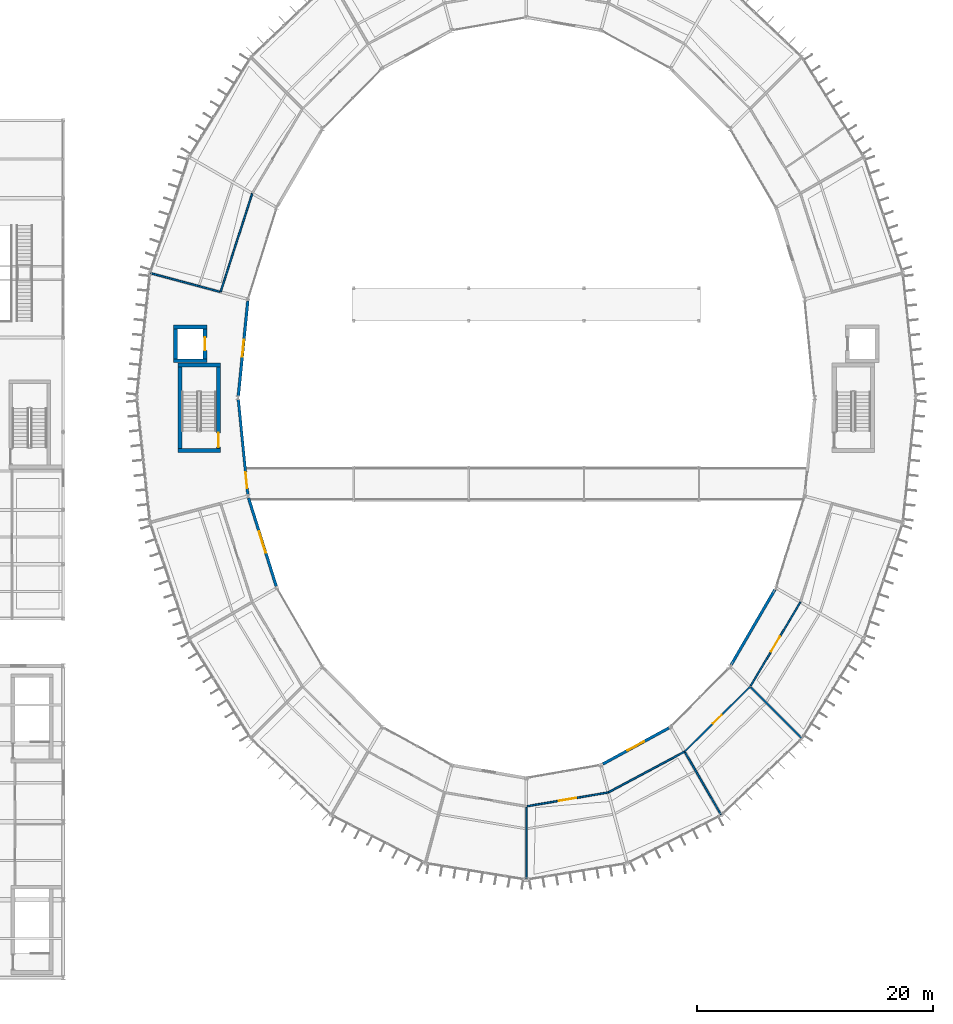
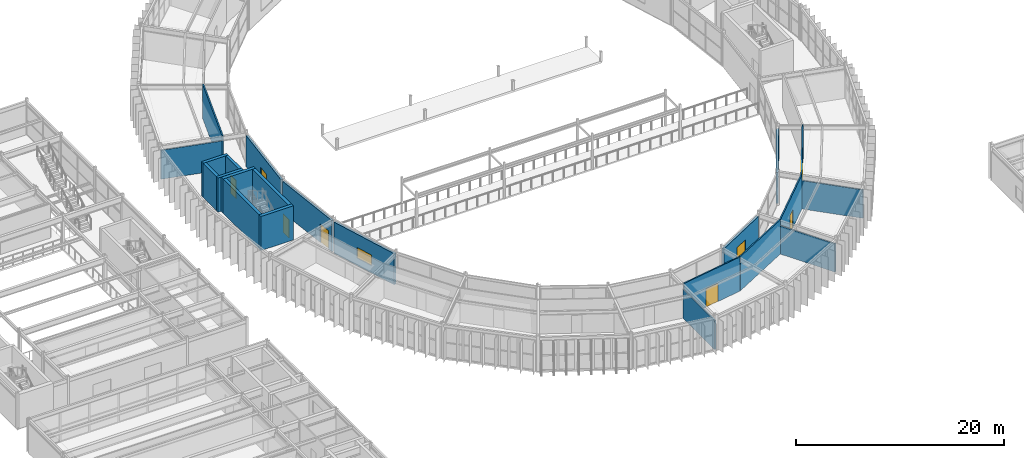
# One storey, part 124 of 147: 22 walls, 6 doors, 3 windows, 9 openings.
"""IFC4 building model written with IfcOpenShell, lengths in metres."""

import ifcopenshell
import ifcopenshell.guid

model = None  # the IFC model being written
_history = None  # IfcOwnerHistory: only IFC2X3 demands one
_inside = {}  # id of a spatial element -> (the spatial element, [elements in it])
_under = {}  # id of a project, library or spatial element -> (it, [spatial elements below it])
_declared = {}  # id of a project -> (the project, [libraries it declares])
_typed = {}  # id of a type object -> (the type object, [elements of that type])
_made_of = {}  # id of a material, layer set ... -> (it, [elements and type objects made of it])


def new_model(schema):
    """Start an empty IFC model of exactly this schema.

    Asked for "IFC4X3", IfcOpenShell would pick the latest addendum, in which some entities
    have other attributes; the version numbers below select the first issue.
    IFC2X3 requires an IfcOwnerHistory on every rooted entity: one is made here for all.
    """
    global model, _history
    if schema == "IFC4X3":
        model = ifcopenshell.file(schema_version=(4, 3, 0, 0))
    else:
        model = ifcopenshell.file(schema=schema)
    _inside.clear()
    _under.clear()
    _declared.clear()
    _typed.clear()
    _made_of.clear()
    _history = None
    if model.schema == "IFC2X3":
        org = make("IfcOrganization", Name="unknown")
        user = make(
            "IfcPersonAndOrganization",
            ThePerson=make("IfcPerson", FamilyName="unknown"),
            TheOrganization=org,
        )
        app = make(
            "IfcApplication",
            ApplicationDeveloper=org,
            Version="unknown",
            ApplicationFullName="unknown",
            ApplicationIdentifier="unknown",
        )
        _history = make(
            "IfcOwnerHistory",
            OwningUser=user,
            OwningApplication=app,
            ChangeAction="ADDED",
            CreationDate=0,
        )
    return model


def make(cls, **values):
    """One entity of the class cls with the attributes given. An attribute that is None is left unset."""
    return model.create_entity(
        cls, **{name: value for name, value in values.items() if value is not None}
    )


def rooted(cls, **values):
    """An entity with a GlobalId (a new one), such as an element, a storey or a relation."""
    return make(cls, GlobalId=ifcopenshell.guid.new(), OwnerHistory=_history, **values)


def si_unit(unit_type, name, prefix=None):
    """IfcSIUnit, for example si_unit("LENGTHUNIT", "METRE", prefix="MILLI")."""
    return make("IfcSIUnit", UnitType=unit_type, Prefix=prefix, Name=name)


def assignment(units):
    """IfcUnitAssignment: the units of a project."""
    return None if units is None else make("IfcUnitAssignment", Units=units)


def point(xyz):
    """IfcCartesianPoint."""
    return None if xyz is None else make("IfcCartesianPoint", Coordinates=xyz)


def direction(xyz):
    """IfcDirection."""
    return None if xyz is None else make("IfcDirection", DirectionRatios=xyz)


def frame(location, z_axis=None, x_axis=None):
    """IfcAxis2Placement3D, a coordinate frame: its origin and axes. An axis left out is left unset."""
    return make(
        "IfcAxis2Placement3D",
        Location=point(location),
        Axis=direction(z_axis),
        RefDirection=direction(x_axis),
    )


def frame_2d(location, x_axis=None):
    """IfcAxis2Placement2D, a coordinate frame in the plane: its origin and x axis."""
    return make(
        "IfcAxis2Placement2D", Location=point(location), RefDirection=direction(x_axis)
    )


def origin():
    """The frame at (0, 0, 0) with its axes left unset."""
    return frame((0.0, 0.0, 0.0))


def place(relative_to, where):
    """IfcLocalPlacement: puts the frame where relative to a parent placement (None: the world)."""
    return make(
        "IfcLocalPlacement", PlacementRelTo=relative_to, RelativePlacement=where
    )


def context(
    kind, dimensions, precision=None, world=None, true_north=None, identifier=None
):
    """IfcGeometricRepresentationContext, for example the 3D "Model" context."""
    return make(
        "IfcGeometricRepresentationContext",
        ContextIdentifier=identifier,
        ContextType=kind,
        CoordinateSpaceDimension=dimensions,
        Precision=precision,
        WorldCoordinateSystem=world,
        TrueNorth=true_north,
    )


def subcontext(parent, identifier, kind, view, scale=None):
    """IfcGeometricRepresentationSubContext, for example "Body" below "Model"."""
    return make(
        "IfcGeometricRepresentationSubContext",
        ContextIdentifier=identifier,
        ContextType=kind,
        ParentContext=parent,
        TargetScale=scale,
        TargetView=view,
    )


def project(units=None, contexts=None):
    """IfcProject with its units and contexts."""
    return rooted(
        "IfcProject",
        Name="project",
        RepresentationContexts=contexts,
        UnitsInContext=assignment(units),
    )


def spatial(cls, under=None, at=None, **own):
    """A site, building, storey or space (cls), placed at a placement, below another one or the project."""
    s = rooted(cls, ObjectPlacement=at, **own)
    if under is not None:
        _under.setdefault(under.id(), (under, []))[1].append(s)
    return s


def profile(cls, at=None, kind="AREA", **sizes):
    """A parametric profile (cls). Its sizes go by their IFC names, for example OverallWidth=200.0."""
    return make(cls, ProfileType=kind, Position=at, **sizes)


def rectangle(**sizes):
    """IfcRectangleProfileDef."""
    return profile("IfcRectangleProfileDef", **sizes)


def extrude(swept, where, along, depth):
    """IfcExtrudedAreaSolid: the profile swept, set in the frame where, extruded along a direction by depth."""
    return make(
        "IfcExtrudedAreaSolid",
        SweptArea=swept,
        Position=where,
        ExtrudedDirection=direction(along),
        Depth=depth,
    )


def shape(context_of_items, identifier, shape_type, items):
    """IfcShapeRepresentation: the items that make up one representation, for example the "Body"."""
    return make(
        "IfcShapeRepresentation",
        ContextOfItems=context_of_items,
        RepresentationIdentifier=identifier,
        RepresentationType=shape_type,
        Items=items,
    )


def material(Name=None, Category=None):
    """IfcMaterial."""
    return make("IfcMaterial", Name=Name, Category=Category)


def layer(
    of_material, thickness, ventilated=None, Name=None, Category=None, Priority=None
):
    """IfcMaterialLayer: one layer of a wall or slab, of a material (None: an air gap)."""
    return make(
        "IfcMaterialLayer",
        Material=of_material,
        LayerThickness=thickness,
        IsVentilated=ventilated,
        Name=Name,
        Category=Category,
        Priority=Priority,
    )


def layer_set(layers, Name=None):
    """IfcMaterialLayerSet."""
    return make("IfcMaterialLayerSet", MaterialLayers=layers, LayerSetName=Name)


def made_of(thing, what):
    """Note that an element or type object is made of a material, layer set ...; save() writes the relation."""
    if what is not None:
        _made_of.setdefault(what.id(), (what, []))[1].append(thing)
    return thing


def type_object(cls, material=None, **own):
    """A type object (cls), such as IfcWallType, which elements share."""
    return made_of(rooted(cls, **own), material)


def element(
    cls,
    number,
    at=None,
    inside=None,
    cuts=None,
    type_object=None,
    material=None,
    context=None,
    identifier="Body",
    shape_type=None,
    held_by="IfcProductDefinitionShape",
    body=None,
    shapes=None,
    **own,
):
    """One element of the class cls, such as IfcWall. Its Tag is "e" and its number.

    at: its placement. inside: the storey or other place that contains it. cuts: it is an
    opening in that element (IfcRelVoidsElement). A single representation is given by context,
    identifier, shape_type and body (its items); several are given by shapes. held_by: the class
    of the entity that holds the representations. save() writes the other relations.
    """
    e = rooted(cls, Tag="e%d" % number, ObjectPlacement=at, **own)
    if body is not None:
        shapes = [shape(context, identifier, shape_type, body)]
    if shapes is not None:
        e.Representation = make(held_by, Representations=shapes)
    if inside is not None:
        _inside.setdefault(inside.id(), (inside, []))[1].append(e)
    if cuts is not None:
        rooted(
            "IfcRelVoidsElement", RelatingBuildingElement=cuts, RelatedOpeningElement=e
        )
    if type_object is not None:
        _typed.setdefault(type_object.id(), (type_object, []))[1].append(e)
    return made_of(e, material)


def fill(opening, filler):
    """IfcRelFillsElement: the door or window that sits in an opening."""
    return rooted(
        "IfcRelFillsElement",
        RelatingOpeningElement=opening,
        RelatedBuildingElement=filler,
    )


def aggregate(whole, parts):
    """IfcRelAggregates: a whole, such as a stair, and the parts it consists of."""
    return rooted("IfcRelAggregates", RelatingObject=whole, RelatedObjects=parts)


def save(model, path):
    """Write the relations noted so far, then the file.

    IfcRelAggregates (storeys below a building ...), IfcRelContainedInSpatialStructure (elements
    in a storey), IfcRelDefinesByType, IfcRelAssociatesMaterial and IfcRelDeclares: one each for
    every whole, place, type object, material and project.
    """
    for whole, parts in _under.values():
        aggregate(whole, parts)
    for where, things in _inside.values():
        rooted(
            "IfcRelContainedInSpatialStructure",
            RelatedElements=things,
            RelatingStructure=where,
        )
    for kind, things in _typed.values():
        rooted("IfcRelDefinesByType", RelatedObjects=things, RelatingType=kind)
    for what, things in _made_of.values():
        rooted("IfcRelAssociatesMaterial", RelatedObjects=things, RelatingMaterial=what)
    for by, libraries in _declared.values():
        rooted("IfcRelDeclares", RelatingContext=by, RelatedDefinitions=libraries)
    model.write(path)


model = new_model("IFC4")

# Units and contexts
model_context = context("Model", 3, precision=1e-05, world=origin(), true_north=direction((0.0, 1.0)))
body_context = subcontext(model_context, "Body", "Model", "MODEL_VIEW")
ifc_project = project(units=[si_unit("LENGTHUNIT", "METRE"), si_unit("AREAUNIT", "SQUARE_METRE"), si_unit("VOLUMEUNIT", "CUBIC_METRE"), si_unit("PLANEANGLEUNIT", "RADIAN"), si_unit("MASSUNIT", "GRAM", prefix="KILO")], contexts=[model_context])

# Site, building, storey
site_placement = place(None, origin())
site = spatial("IfcSite", under=ifc_project, at=site_placement, CompositionType="ELEMENT")
building_placement = place(site_placement, origin())
building = spatial("IfcBuilding", under=site, at=building_placement, Name="Karori Crest Natural Sciences Institute", CompositionType="ELEMENT")
storey_placement = place(building_placement, frame((0.0, 0.0, 9.10009765625)))
storey = spatial("IfcBuildingStorey", under=building, at=storey_placement, Name="L02", CompositionType="ELEMENT", Elevation=9.10009765625)

# Walls
ifc_material_1 = material(Name="Concrete 50 MPa", Category="concrete")
ifc_layer_1 = layer(ifc_material_1, 0.35009765625, Name="Concrete 50 MPa")
ifc_layer_set_1 = layer_set([ifc_layer_1], Name="Concrete 50 MPa")
wall_type_1 = type_object("IfcWallType", Name="IWT-02", PredefinedType="SHEAR", material=ifc_layer_set_1)
for number, where, z_axis, x_axis, name in (
    (1, (36.89990234375, 45.425048828125, 0.0), (0.0, 0.0, 1.0), (1.0, 0.0, 0.0), "Shear wall IW-0049"),
    (2, (36.89990234375, 52.675048828125, 0.0), (0.0, 0.0, 1.0), (1.0, 0.0, 0.0), "Shear wall IW-0050"),
):
    element("IfcWall", number, at=place(storey_placement, frame(where, z_axis=z_axis, x_axis=x_axis)), inside=storey, type_object=wall_type_1, Name=name, PredefinedType="SHEAR", context=body_context, shape_type="SweptSolid", body=[
        extrude(rectangle(XDim=3.60009765625, YDim=0.35009765625, at=frame_2d((1.800048828125, 0.0))), origin(), (0.0, 0.0, 1.0), 4.0),
    ])
wall_1_placement = place(storey_placement, frame((37.074951171875, 45.60205078125, 0.0), z_axis=(0.0, 0.0, 1.0), x_axis=(0.0, 1.0, 0.0)))
element("IfcWall", 3, at=wall_1_placement, inside=storey, type_object=wall_type_1, Name="Shear wall IW-0051", PredefinedType="SHEAR", context=body_context, shape_type="SweptSolid", body=[
    extrude(rectangle(XDim=6.89599609375, YDim=0.35009765625, at=frame_2d((3.447998046875, 0.0))), origin(), (0.0, 0.0, 1.0), 4.0),
])

# Wall, opening, door
wall_2_placement = place(storey_placement, frame((40.324951171875, 45.60205078125, 0.0), z_axis=(0.0, 0.0, 1.0), x_axis=(0.0, 1.0, 0.0)))
wall_2 = element("IfcWall", 4, at=wall_2_placement, inside=storey, type_object=wall_type_1, Name="Shear wall IW-0052", PredefinedType="SHEAR", context=body_context, shape_type="SweptSolid", body=[
    extrude(rectangle(XDim=6.89599609375, YDim=0.35009765625, at=frame_2d((3.447998046875, 0.0))), origin(), (0.0, 0.0, 1.0), 4.0),
])
opening_1_placement = place(wall_2_placement, frame((0.1201171875, 0.0, 0.0)))
opening_1 = element("IfcOpeningElement", 5, at=opening_1_placement, cuts=wall_2, Name="Opening ID-0013", PredefinedType="OPENING", context=body_context, shape_type="SweptSolid", body=[
    extrude(rectangle(XDim=1.199951171875, YDim=2.14990234375, at=frame_2d((0.60009765625, 1.074951171875))), frame((0.0, 0.18505859375, 0.0), z_axis=(0.0, -1.0, 0.0), x_axis=(1.0, 0.0, 0.0)), (0.0, 0.0, 1.0), 0.3701171875),
])
ifc_material_2 = material(Name="Stainless steel 316 and fire-rated timber", Category="steel")
door_type_1 = type_object("IfcDoorType", Name="IDT-01", OperationType="NOTDEFINED", PredefinedType="DOOR", material=ifc_material_2)
door_1_placement = place(opening_1_placement, origin())
door_1 = element("IfcDoor", 6, at=door_1_placement, inside=storey, type_object=door_type_1, Name="Stair ST-02 fire door ID-0013", OperationType="SINGLE_SWING_LEFT", OverallHeight=2.14990234375, OverallWidth=1.199951171875, PredefinedType="DOOR", context=body_context, shape_type="SweptSolid", body=[
    extrude(rectangle(XDim=1.199951171875, YDim=2.14990234375, at=frame_2d((0.60009765625, 1.074951171875))), frame((0.0, 0.02490234375, 0.0), z_axis=(0.0, -1.0, 0.0), x_axis=(1.0, 0.0, 0.0)), (0.0, 0.0, 1.0), 0.050048828125),
])
fill(opening_1, door_1)

# Walls
ifc_layer_2 = layer(ifc_material_1, 0.320068359375, Name="Concrete 50 MPa")
ifc_layer_set_2 = layer_set([ifc_layer_2], Name="Concrete 50 MPa")
wall_type_2 = type_object("IfcWallType", Name="IWT-03", PredefinedType="SHEAR", material=ifc_layer_set_2)
for number, where, z_axis, x_axis, name in (
    (7, (36.544921875, 53.030029296875, 0.0), (0.0, 0.0, 1.0), (1.0, 0.0, 0.0), "Shear wall IW-0449"),
    (8, (36.544921875, 55.89501953125, 0.0), (0.0, 0.0, 1.0), (1.0, 0.0, 0.0), "Shear wall IW-0450"),
):
    element("IfcWall", number, at=place(storey_placement, frame(where, z_axis=z_axis, x_axis=x_axis)), inside=storey, type_object=wall_type_2, Name=name, PredefinedType="SHEAR", context=body_context, shape_type="SweptSolid", body=[
        extrude(rectangle(XDim=2.81005859375, YDim=0.320068359375, at=frame_2d((1.405029296875, 0.0))), origin(), (0.0, 0.0, 1.0), 4.0),
    ])
wall_3_placement = place(storey_placement, frame((36.705078125, 53.19189453125, 0.0), z_axis=(0.0, 0.0, 1.0), x_axis=(0.0, 1.0, 0.0)))
element("IfcWall", 9, at=wall_3_placement, inside=storey, type_object=wall_type_2, Name="Shear wall IW-0451", PredefinedType="SHEAR", context=body_context, shape_type="SweptSolid", body=[
    extrude(rectangle(XDim=2.541015625, YDim=0.320068359375, at=frame_2d((1.2705078125, 0.0))), origin(), (0.0, 0.0, 1.0), 4.0),
])

# Wall, opening, door
wall_4_placement = place(storey_placement, frame((39.195068359375, 53.19189453125, 0.0), z_axis=(0.0, 0.0, 1.0), x_axis=(0.0, 1.0, 0.0)))
wall_4 = element("IfcWall", 10, at=wall_4_placement, inside=storey, type_object=wall_type_2, Name="Shear wall IW-0452", PredefinedType="SHEAR", context=body_context, shape_type="SweptSolid", body=[
    extrude(rectangle(XDim=2.541015625, YDim=0.320068359375, at=frame_2d((1.2705078125, 0.0))), origin(), (0.0, 0.0, 1.0), 4.0),
])
opening_2_placement = place(wall_4_placement, frame((0.720458984375, 0.0, 0.0)))
opening_2 = element("IfcOpeningElement", 11, at=opening_2_placement, cuts=wall_4, Name="Opening LD-0037", PredefinedType="OPENING", context=body_context, shape_type="SweptSolid", body=[
    extrude(rectangle(XDim=1.10009765625, YDim=2.14990234375, at=frame_2d((0.550048828125, 1.074951171875))), frame((0.0, 0.169921875, 0.0), z_axis=(0.0, -1.0, 0.0), x_axis=(1.0, 0.0, 0.0)), (0.0, 0.0, 1.0), 0.340087890625),
])
door_type_2 = type_object("IfcDoorType", Name="LDT-01", OperationType="SLIDING_TO_LEFT", PredefinedType="DOOR", material=ifc_material_2)
door_2_placement = place(opening_2_placement, origin())
door_2 = element("IfcDoor", 12, at=door_2_placement, inside=storey, type_object=door_type_2, Name="Lift LP-02 landing door LD-0037", OperationType="SLIDING_TO_LEFT", OverallHeight=2.14990234375, OverallWidth=1.10009765625, PredefinedType="DOOR", context=body_context, shape_type="SweptSolid", body=[
    extrude(rectangle(XDim=1.10009765625, YDim=2.14990234375, at=frame_2d((0.550048828125, 1.074951171875))), frame((0.0, 0.02490234375, 0.0), z_axis=(0.0, -1.0, 0.0), x_axis=(1.0, 0.0, 0.0)), (0.0, 0.0, 1.0), 0.050048828125),
])
fill(opening_2, door_2)

# Walls
ifc_material_3 = material(Name="Laboratory acoustic drywall partition")
ifc_layer_3 = layer(ifc_material_3, 0.139892578125, Name="Laboratory acoustic drywall partition")
ifc_layer_set_3 = layer_set([ifc_layer_3], Name="Laboratory acoustic drywall partition")
wall_type_3 = type_object("IfcWallType", Name="IWT-07", PredefinedType="PARTITIONING", material=ifc_layer_set_3)
wall_5_placement = place(storey_placement, frame((43.18994140625, 67.197998046875, 0.0), z_axis=(0.0, 0.0, 1.0), x_axis=(-0.305499533667, -0.952192225829, 0.0)))
element("IfcWall", 13, at=wall_5_placement, inside=storey, type_object=wall_type_3, Name="Partition wall IW-1267", PredefinedType="PARTITIONING", context=body_context, shape_type="SweptSolid", body=[
    extrude(rectangle(XDim=8.761962890625, YDim=0.139892578125, at=frame_2d((4.380859375, 0.0))), origin(), (0.0, 0.0, 1.0), 4.0),
])
wall_6_placement = place(storey_placement, frame((40.435791015625, 58.875732421875, 0.0), z_axis=(0.0, 0.0, 1.0), x_axis=(-0.965916578341, 0.258853556448, 0.0)))
element("IfcWall", 14, at=wall_6_placement, inside=storey, type_object=wall_type_3, Name="Partition wall IW-1268", PredefinedType="PARTITIONING", context=body_context, shape_type="SweptSolid", body=[
    extrude(rectangle(XDim=6.059814453125, YDim=0.139892578125, at=frame_2d((3.02978515625, 0.0))), origin(), (0.0, 0.0, 1.0), 3.391845703125),
])
wall_7_placement = place(storey_placement, frame((66.39990234375, 15.219970703125, 0.0), z_axis=(0.0, 0.0, 1.0), x_axis=(0.0, -1.0, 0.0)))
element("IfcWall", 15, at=wall_7_placement, inside=storey, type_object=wall_type_3, Name="Partition wall IW-1279", PredefinedType="PARTITIONING", context=body_context, shape_type="SweptSolid", body=[
    extrude(rectangle(XDim=6.06005859375, YDim=0.139892578125, at=frame_2d((3.030029296875, 0.0))), origin(), (0.0, 0.0, 1.0), 3.391845703125),
])

# Wall, opening, door
wall_8_placement = place(storey_placement, frame((66.471923828125, 15.312255859375, 0.0), z_axis=(0.0, 0.0, 1.0), x_axis=(0.985861002198, 0.167565164474, 0.0)))
wall_8 = element("IfcWall", 16, at=wall_8_placement, inside=storey, type_object=wall_type_3, Name="Partition wall IW-1280", PredefinedType="PARTITIONING", context=body_context, shape_type="SweptSolid", body=[
    extrude(rectangle(XDim=6.962890625, YDim=0.139892578125, at=frame_2d((3.4814453125, 0.0))), origin(), (0.0, 0.0, 1.0), 4.0),
])
opening_3_placement = place(wall_8_placement, frame((2.7314453125, 0.0, 0.0)))
opening_3 = element("IfcOpeningElement", 17, at=opening_3_placement, cuts=wall_8, Name="Opening ID-0396", PredefinedType="OPENING", context=body_context, shape_type="SweptSolid", body=[
    extrude(rectangle(XDim=1.5, YDim=2.14990234375, at=frame_2d((0.75, 1.074951171875))), frame((0.0, 0.080078125, 0.0), z_axis=(0.0, -1.0, 0.0), x_axis=(1.0, 0.0, 0.0)), (0.0, 0.0, 1.0), 0.159912109375),
])
door_type_3 = type_object("IfcDoorType", Name="IDT-05", OperationType="DOUBLE_DOOR_SINGLE_SWING", PredefinedType="DOOR", material=ifc_material_2)
door_3_placement = place(opening_3_placement, origin())
door_3 = element("IfcDoor", 18, at=door_3_placement, inside=storey, type_object=door_type_3, Name="Marine Ecology Dry Laboratory door ID-0396", OperationType="DOUBLE_DOOR_SINGLE_SWING", OverallHeight=2.14990234375, OverallWidth=1.5, PredefinedType="DOOR", context=body_context, shape_type="SweptSolid", body=[
    extrude(rectangle(XDim=1.5, YDim=2.14990234375, at=frame_2d((0.75, 1.074951171875))), frame((0.0, 0.02490234375, 0.0), z_axis=(0.0, -1.0, 0.0), x_axis=(1.0, 0.0, 0.0)), (0.0, 0.0, 1.0), 0.050048828125),
])
fill(opening_3, door_3)

# Walls
wall_9_placement = place(storey_placement, frame((73.338134765625, 16.47998046875, 0.0), z_axis=(0.0, 0.0, 1.0), x_axis=(0.881830395915, 0.471566700309, 0.0)))
element("IfcWall", 19, at=wall_9_placement, inside=storey, type_object=wall_type_3, Name="Partition wall IW-1281", PredefinedType="PARTITIONING", context=body_context, shape_type="SweptSolid", body=[
    extrude(rectangle(XDim=7.327880859375, YDim=0.139892578125, at=frame_2d((3.6640625, 0.0))), origin(), (0.0, 0.0, 1.0), 4.0),
])
wall_10_placement = place(storey_placement, frame((79.840087890625, 19.8662109375, 0.0), z_axis=(0.0, 0.0, 1.0), x_axis=(0.500008418462, -0.866020543329, 0.0)))
element("IfcWall", 20, at=wall_10_placement, inside=storey, type_object=wall_type_3, Name="Partition wall IW-1282", PredefinedType="PARTITIONING", context=body_context, shape_type="SweptSolid", body=[
    extrude(rectangle(XDim=6.06005859375, YDim=0.139892578125, at=frame_2d((3.030029296875, 0.0))), origin(), (0.0, 0.0, 1.0), 3.31298828125),
])

# Wall, opening, door
wall_11_placement = place(storey_placement, frame((79.801513671875, 19.93701171875, 0.0), z_axis=(0.0, 0.0, 1.0), x_axis=(0.710427757183, 0.703770134222, 0.0)))
wall_11 = element("IfcWall", 21, at=wall_11_placement, inside=storey, type_object=wall_type_3, Name="Partition wall IW-1283", PredefinedType="PARTITIONING", context=body_context, shape_type="SweptSolid", body=[
    extrude(rectangle(XDim=7.810791015625, YDim=0.139892578125, at=frame_2d((3.9052734375, 0.0))), origin(), (0.0, 0.0, 1.0), 4.0),
])
opening_4_placement = place(wall_11_placement, frame((3.380615234375, 0.0, 0.0)))
opening_4 = element("IfcOpeningElement", 22, at=opening_4_placement, cuts=wall_11, Name="Opening ID-0397", PredefinedType="OPENING", context=body_context, shape_type="SweptSolid", body=[
    extrude(rectangle(XDim=1.050048828125, YDim=2.14990234375, at=frame_2d((0.52490234375, 1.074951171875))), frame((0.0, 0.080078125, 0.0), z_axis=(0.0, -1.0, 0.0), x_axis=(1.0, 0.0, 0.0)), (0.0, 0.0, 1.0), 0.159912109375),
])
door_type_4 = type_object("IfcDoorType", Name="IDT-03", OperationType="NOTDEFINED", PredefinedType="DOOR", material=ifc_material_2)
door_4_placement = place(opening_4_placement, origin())
door_4 = element("IfcDoor", 23, at=door_4_placement, inside=storey, type_object=door_type_4, Name="Paleoclimate Core Analysis Laboratory door ID-0397", OperationType="SINGLE_SWING_LEFT", OverallHeight=2.14990234375, OverallWidth=1.050048828125, PredefinedType="DOOR", context=body_context, shape_type="SweptSolid", body=[
    extrude(rectangle(XDim=1.050048828125, YDim=2.14990234375, at=frame_2d((0.52490234375, 1.074951171875))), frame((0.0, 0.02490234375, 0.0), z_axis=(0.0, -1.0, 0.0), x_axis=(1.0, 0.0, 0.0)), (0.0, 0.0, 1.0), 0.050048828125),
])
fill(opening_4, door_4)

# Wall
wall_12_placement = place(storey_placement, frame((85.406982421875, 25.37744140625, 0.0), z_axis=(0.0, 0.0, 1.0), x_axis=(0.707106781187, -0.707106781187, 0.0)))
element("IfcWall", 24, at=wall_12_placement, inside=storey, type_object=wall_type_3, Name="Partition wall IW-1284", PredefinedType="PARTITIONING", context=body_context, shape_type="SweptSolid", body=[
    extrude(rectangle(XDim=6.06005859375, YDim=0.139892578125, at=frame_2d((3.030029296875, 0.0))), origin(), (0.0, 0.0, 1.0), 3.322998046875),
])

# Wall, opening, door
wall_13_placement = place(storey_placement, frame((85.388427734375, 25.497802734375, 0.0), z_axis=(0.0, 0.0, 1.0), x_axis=(0.510914893672, 0.8596312997, 0.0)))
wall_13 = element("IfcWall", 25, at=wall_13_placement, inside=storey, type_object=wall_type_3, Name="Partition wall IW-1285", PredefinedType="PARTITIONING", context=body_context, shape_type="SweptSolid", body=[
    extrude(rectangle(XDim=8.261962890625, YDim=0.139892578125, at=frame_2d((4.130859375, 0.0))), origin(), (0.0, 0.0, 1.0), 4.0),
])
opening_5_placement = place(wall_13_placement, frame((3.380859375, 0.0, 0.0)))
opening_5 = element("IfcOpeningElement", 26, at=opening_5_placement, cuts=wall_13, Name="Opening ID-0398", PredefinedType="OPENING", context=body_context, shape_type="SweptSolid", body=[
    extrude(rectangle(XDim=1.5, YDim=2.14990234375, at=frame_2d((0.75, 1.074951171875))), frame((0.0, 0.080078125, 0.0), z_axis=(0.0, -1.0, 0.0), x_axis=(1.0, 0.0, 0.0)), (0.0, 0.0, 1.0), 0.159912109375),
])
door_5_placement = place(opening_5_placement, origin())
door_5 = element("IfcDoor", 27, at=door_5_placement, inside=storey, type_object=door_type_3, Name="Dry Optics Physics Laboratory door ID-0398", OperationType="DOUBLE_DOOR_SINGLE_SWING", OverallHeight=2.14990234375, OverallWidth=1.5, PredefinedType="DOOR", context=body_context, shape_type="SweptSolid", body=[
    extrude(rectangle(XDim=1.5, YDim=2.14990234375, at=frame_2d((0.75, 1.074951171875))), frame((0.0, 0.02490234375, 0.0), z_axis=(0.0, -1.0, 0.0), x_axis=(1.0, 0.0, 0.0)), (0.0, 0.0, 1.0), 0.050048828125),
])
fill(opening_5, door_5)

# Wall, opening, window
ifc_material_4 = material(Name="Precast concrete 40 MPa", Category="concrete")
ifc_layer_4 = layer(ifc_material_4, 0.239990234375, Name="Precast concrete 40 MPa")
ifc_layer_set_4 = layer_set([ifc_layer_4], Name="Precast concrete 40 MPa")
wall_type_4 = type_object("IfcWallType", Name="WT-04", PredefinedType="SOLIDWALL", material=ifc_layer_set_4)
wall_14_placement = place(storey_placement, frame((42.818115234375, 58.10009765625, 0.0), z_axis=(0.0, 0.0, 1.0), x_axis=(-0.099291432912, -0.99505839595, 0.0)))
wall_14 = element("IfcWall", 28, at=wall_14_placement, inside=storey, type_object=wall_type_4, Name="Exterior wall EW-0056", PredefinedType="SOLIDWALL", context=body_context, shape_type="SweptSolid", body=[
    extrude(rectangle(XDim=8.084716796875, YDim=0.239990234375, at=frame_2d((4.04248046875, 0.0))), origin(), (0.0, 0.0, 1.0), 3.64990234375),
])
opening_6_placement = place(wall_14_placement, frame((3.3173828125, 0.0, 0.85009765625)))
opening_6 = element("IfcOpeningElement", 29, at=opening_6_placement, cuts=wall_14, Name="Opening WN-0018", PredefinedType="OPENING", context=body_context, shape_type="SweptSolid", body=[
    extrude(rectangle(XDim=1.449951171875, YDim=1.25, at=frame_2d((0.72509765625, 0.625))), frame((0.0, 0.1298828125, 0.0), z_axis=(0.0, -1.0, 0.0), x_axis=(1.0, 0.0, 0.0)), (0.0, 0.0, 1.0), 0.260009765625),
])
ifc_material_5 = material(Name="Double low-E laminated glass", Category="glass")
window_type_1 = type_object("IfcWindowType", Name="WNT-12", PartitioningType="SINGLE_PANEL", PredefinedType="WINDOW", material=ifc_material_5)
window_1_placement = place(opening_6_placement, origin())
window_1 = element("IfcWindow", 30, at=window_1_placement, inside=storey, type_object=window_type_1, Name="Window WN-0018", OverallHeight=1.25, OverallWidth=1.449951171875, PartitioningType="SINGLE_PANEL", PredefinedType="WINDOW", context=body_context, shape_type="SweptSolid", body=[
    extrude(rectangle(XDim=1.449951171875, YDim=1.25, at=frame_2d((0.72509765625, 0.625))), frame((0.0, 0.030029296875, 0.0), z_axis=(0.0, -1.0, 0.0), x_axis=(1.0, 0.0, 0.0)), (0.0, 0.0, 1.0), 0.06005859375),
])
fill(opening_6, window_1)

wall_15_placement = place(storey_placement, frame((42.879150390625, 41.413818359375, 0.0), z_axis=(0.0, 0.0, 1.0), x_axis=(0.299477830639, -0.954103259064, 0.0)))
wall_15 = element("IfcWall", 31, at=wall_15_placement, inside=storey, type_object=wall_type_4, Name="Exterior wall EW-0058", PredefinedType="SOLIDWALL", context=body_context, shape_type="SweptSolid", body=[
    extrude(rectangle(XDim=7.845703125, YDim=0.239990234375, at=frame_2d((3.9228515625, 0.0))), origin(), (0.0, 0.0, 1.0), 3.64990234375),
])
opening_7_placement = place(wall_15_placement, frame((2.972900390625, 0.0, 0.85009765625)))
opening_7 = element("IfcOpeningElement", 32, at=opening_7_placement, cuts=wall_15, Name="Opening WN-0019", PredefinedType="OPENING", context=body_context, shape_type="SweptSolid", body=[
    extrude(rectangle(XDim=1.89990234375, YDim=1.25, at=frame_2d((0.949951171875, 0.625))), frame((0.0, 0.1298828125, 0.0), z_axis=(0.0, -1.0, 0.0), x_axis=(1.0, 0.0, 0.0)), (0.0, 0.0, 1.0), 0.260009765625),
])
window_type_2 = type_object("IfcWindowType", Name="WNT-14", PartitioningType="SINGLE_PANEL", PredefinedType="WINDOW", material=ifc_material_5)
window_2_placement = place(opening_7_placement, origin())
window_2 = element("IfcWindow", 33, at=window_2_placement, inside=storey, type_object=window_type_2, Name="Window WN-0019", OverallHeight=1.25, OverallWidth=1.89990234375, PartitioningType="SINGLE_PANEL", PredefinedType="WINDOW", context=body_context, shape_type="SweptSolid", body=[
    extrude(rectangle(XDim=1.89990234375, YDim=1.25, at=frame_2d((0.949951171875, 0.625))), frame((0.0, 0.030029296875, 0.0), z_axis=(0.0, -1.0, 0.0), x_axis=(1.0, 0.0, 0.0)), (0.0, 0.0, 1.0), 0.06005859375),
])
fill(opening_7, window_2)

wall_16_placement = place(storey_placement, frame((72.865966796875, 18.879638671875, 0.0), z_axis=(0.0, 0.0, 1.0), x_axis=(0.877463709328, 0.479643032695, 0.0)))
wall_16 = element("IfcWall", 34, at=wall_16_placement, inside=storey, type_object=wall_type_4, Name="Exterior wall EW-0061", PredefinedType="SOLIDWALL", context=body_context, shape_type="SweptSolid", body=[
    extrude(rectangle(XDim=6.400146484375, YDim=0.239990234375, at=frame_2d((3.2001953125, 0.0))), origin(), (0.0, 0.0, 1.0), 3.64990234375),
])
opening_8_placement = place(wall_16_placement, frame((2.400146484375, 0.0, 0.85009765625)))
opening_8 = element("IfcOpeningElement", 35, at=opening_8_placement, cuts=wall_16, Name="Opening WN-0021", PredefinedType="OPENING", context=body_context, shape_type="SweptSolid", body=[
    extrude(rectangle(XDim=1.60009765625, YDim=1.5, at=frame_2d((0.800048828125, 0.75))), frame((0.0, 0.1298828125, 0.0), z_axis=(0.0, -1.0, 0.0), x_axis=(1.0, 0.0, 0.0)), (0.0, 0.0, 1.0), 0.260009765625),
])
window_type_3 = type_object("IfcWindowType", Name="WNT-20", PartitioningType="SINGLE_PANEL", PredefinedType="WINDOW", material=ifc_material_5)
window_3_placement = place(opening_8_placement, origin())
window_3 = element("IfcWindow", 36, at=window_3_placement, inside=storey, type_object=window_type_3, Name="Window WN-0021", OverallHeight=1.5, OverallWidth=1.60009765625, PartitioningType="SINGLE_PANEL", PredefinedType="WINDOW", context=body_context, shape_type="SweptSolid", body=[
    extrude(rectangle(XDim=1.60009765625, YDim=1.5, at=frame_2d((0.800048828125, 0.75))), frame((0.0, 0.030029296875, 0.0), z_axis=(0.0, -1.0, 0.0), x_axis=(1.0, 0.0, 0.0)), (0.0, 0.0, 1.0), 0.06005859375),
])
fill(opening_8, window_3)

# Wall
wall_17_placement = place(storey_placement, frame((83.743896484375, 27.287109375, 0.0), z_axis=(0.0, 0.0, 1.0), x_axis=(0.50266774775, 0.864479690549, 0.0)))
element("IfcWall", 37, at=wall_17_placement, inside=storey, type_object=wall_type_4, Name="Exterior wall EW-0062", PredefinedType="SOLIDWALL", context=body_context, shape_type="SweptSolid", body=[
    extrude(rectangle(XDim=7.357666015625, YDim=0.239990234375, at=frame_2d((3.6787109375, 0.0))), origin(), (0.0, 0.0, 1.0), 3.64990234375),
])

# Wall, opening, door
ifc_layer_5 = layer(ifc_material_4, 0.219970703125, Name="Precast concrete 40 MPa")
ifc_layer_set_5 = layer_set([ifc_layer_5], Name="Precast concrete 40 MPa")
wall_type_5 = type_object("IfcWallType", Name="WT-05", PredefinedType="SOLIDWALL", material=ifc_layer_set_5)
wall_18_placement = place(storey_placement, frame((42.015380859375, 49.744384765625, 0.0), z_axis=(0.0, 0.0, 1.0), x_axis=(0.099275964263, -0.99505993936, 0.0)))
wall_18 = element("IfcWall", 38, at=wall_18_placement, inside=storey, type_object=wall_type_5, Name="Exterior wall EW-0057", PredefinedType="SOLIDWALL", context=body_context, shape_type="SweptSolid", body=[
    extrude(rectangle(XDim=8.066162109375, YDim=0.219970703125, at=frame_2d((4.033203125, 0.0))), origin(), (0.0, 0.0, 1.0), 3.64990234375),
])
opening_9_placement = place(wall_18_placement, frame((6.17626953125, 0.0, 0.0)))
opening_9 = element("IfcOpeningElement", 39, at=opening_9_placement, cuts=wall_18, Name="Opening ED-0011", PredefinedType="OPENING", context=body_context, shape_type="SweptSolid", body=[
    extrude(rectangle(XDim=1.35009765625, YDim=2.14990234375, at=frame_2d((0.675048828125, 1.074951171875))), frame((0.0, 0.1201171875, 0.0), z_axis=(0.0, -1.0, 0.0), x_axis=(1.0, 0.0, 0.0)), (0.0, 0.0, 1.0), 0.239990234375),
])
ifc_material_6 = material(Name="Anodised architectural aluminium 6063-T6", Category="aluminium")
door_type_5 = type_object("IfcDoorType", Name="EDT-06", OperationType="NOTDEFINED", PredefinedType="DOOR", material=ifc_material_6)
door_6_placement = place(opening_9_placement, origin())
door_6 = element("IfcDoor", 40, at=door_6_placement, inside=storey, type_object=door_type_5, Name="Courtyard bridge door ED-0011", OperationType="SINGLE_SWING_RIGHT", OverallHeight=2.14990234375, OverallWidth=1.35009765625, PredefinedType="DOOR", context=body_context, shape_type="SweptSolid", body=[
    extrude(rectangle(XDim=1.35009765625, YDim=2.14990234375, at=frame_2d((0.675048828125, 1.074951171875))), frame((0.0, 0.02490234375, 0.0), z_axis=(0.0, -1.0, 0.0), x_axis=(1.0, 0.0, 0.0)), (0.0, 0.0, 1.0), 0.050048828125),
])
fill(opening_9, door_6)

save(model, "model.ifc")
